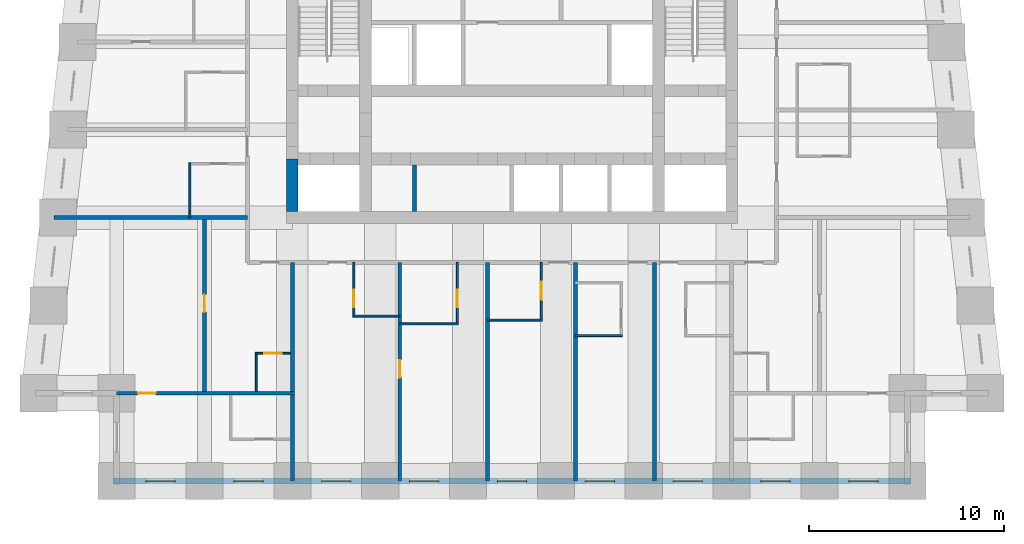
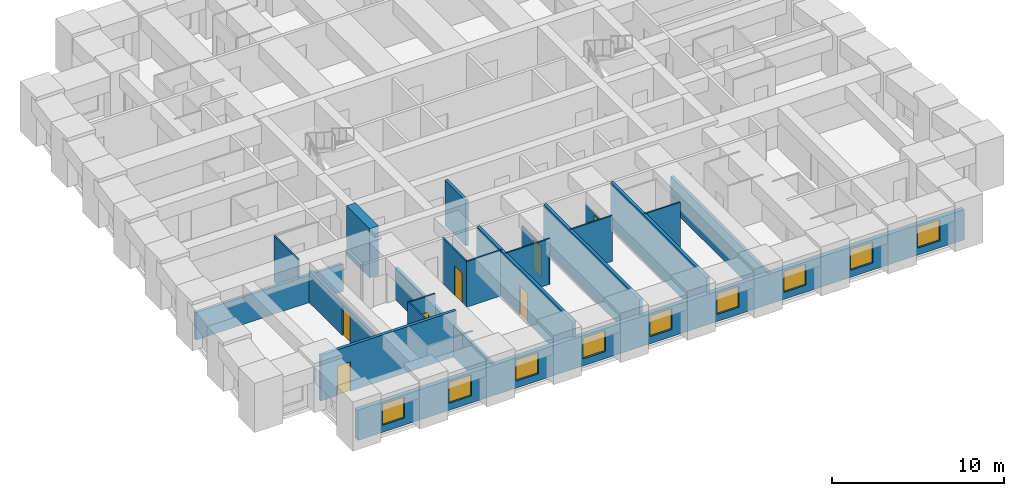
# One storey, part 2 of 8: 21 walls, 9 windows, 7 doors, 16 openings.
"""IFC4 building model written with IfcOpenShell, lengths in metres."""

import ifcopenshell
import ifcopenshell.guid

model = None  # the IFC model being written
_history = None  # IfcOwnerHistory: only IFC2X3 demands one
_inside = {}  # id of a spatial element -> (the spatial element, [elements in it])
_under = {}  # id of a project, library or spatial element -> (it, [spatial elements below it])
_declared = {}  # id of a project -> (the project, [libraries it declares])
_typed = {}  # id of a type object -> (the type object, [elements of that type])
_made_of = {}  # id of a material, layer set ... -> (it, [elements and type objects made of it])


def new_model(schema):
    """Start an empty IFC model of exactly this schema.

    Asked for "IFC4X3", IfcOpenShell would pick the latest addendum, in which some entities
    have other attributes; the version numbers below select the first issue.
    IFC2X3 requires an IfcOwnerHistory on every rooted entity: one is made here for all.
    """
    global model, _history
    if schema == "IFC4X3":
        model = ifcopenshell.file(schema_version=(4, 3, 0, 0))
    else:
        model = ifcopenshell.file(schema=schema)
    _inside.clear()
    _under.clear()
    _declared.clear()
    _typed.clear()
    _made_of.clear()
    _history = None
    if model.schema == "IFC2X3":
        org = make("IfcOrganization", Name="unknown")
        user = make(
            "IfcPersonAndOrganization",
            ThePerson=make("IfcPerson", FamilyName="unknown"),
            TheOrganization=org,
        )
        app = make(
            "IfcApplication",
            ApplicationDeveloper=org,
            Version="unknown",
            ApplicationFullName="unknown",
            ApplicationIdentifier="unknown",
        )
        _history = make(
            "IfcOwnerHistory",
            OwningUser=user,
            OwningApplication=app,
            ChangeAction="ADDED",
            CreationDate=0,
        )
    return model


def make(cls, **values):
    """One entity of the class cls with the attributes given. An attribute that is None is left unset."""
    return model.create_entity(
        cls, **{name: value for name, value in values.items() if value is not None}
    )


def rooted(cls, **values):
    """An entity with a GlobalId (a new one), such as an element, a storey or a relation."""
    return make(cls, GlobalId=ifcopenshell.guid.new(), OwnerHistory=_history, **values)


def si_unit(unit_type, name, prefix=None):
    """IfcSIUnit, for example si_unit("LENGTHUNIT", "METRE", prefix="MILLI")."""
    return make("IfcSIUnit", UnitType=unit_type, Prefix=prefix, Name=name)


def assignment(units):
    """IfcUnitAssignment: the units of a project."""
    return None if units is None else make("IfcUnitAssignment", Units=units)


def point(xyz):
    """IfcCartesianPoint."""
    return None if xyz is None else make("IfcCartesianPoint", Coordinates=xyz)


def direction(xyz):
    """IfcDirection."""
    return None if xyz is None else make("IfcDirection", DirectionRatios=xyz)


def frame(location, z_axis=None, x_axis=None):
    """IfcAxis2Placement3D, a coordinate frame: its origin and axes. An axis left out is left unset."""
    return make(
        "IfcAxis2Placement3D",
        Location=point(location),
        Axis=direction(z_axis),
        RefDirection=direction(x_axis),
    )


def frame_2d(location, x_axis=None):
    """IfcAxis2Placement2D, a coordinate frame in the plane: its origin and x axis."""
    return make(
        "IfcAxis2Placement2D", Location=point(location), RefDirection=direction(x_axis)
    )


def origin():
    """The frame at (0, 0, 0) with its axes left unset."""
    return frame((0.0, 0.0, 0.0))


def place(relative_to, where):
    """IfcLocalPlacement: puts the frame where relative to a parent placement (None: the world)."""
    return make(
        "IfcLocalPlacement", PlacementRelTo=relative_to, RelativePlacement=where
    )


def context(
    kind, dimensions, precision=None, world=None, true_north=None, identifier=None
):
    """IfcGeometricRepresentationContext, for example the 3D "Model" context."""
    return make(
        "IfcGeometricRepresentationContext",
        ContextIdentifier=identifier,
        ContextType=kind,
        CoordinateSpaceDimension=dimensions,
        Precision=precision,
        WorldCoordinateSystem=world,
        TrueNorth=true_north,
    )


def subcontext(parent, identifier, kind, view, scale=None):
    """IfcGeometricRepresentationSubContext, for example "Body" below "Model"."""
    return make(
        "IfcGeometricRepresentationSubContext",
        ContextIdentifier=identifier,
        ContextType=kind,
        ParentContext=parent,
        TargetScale=scale,
        TargetView=view,
    )


def project(units=None, contexts=None):
    """IfcProject with its units and contexts."""
    return rooted(
        "IfcProject",
        Name="project",
        RepresentationContexts=contexts,
        UnitsInContext=assignment(units),
    )


def spatial(cls, under=None, at=None, **own):
    """A site, building, storey or space (cls), placed at a placement, below another one or the project."""
    s = rooted(cls, ObjectPlacement=at, **own)
    if under is not None:
        _under.setdefault(under.id(), (under, []))[1].append(s)
    return s


def profile(cls, at=None, kind="AREA", **sizes):
    """A parametric profile (cls). Its sizes go by their IFC names, for example OverallWidth=200.0."""
    return make(cls, ProfileType=kind, Position=at, **sizes)


def rectangle(**sizes):
    """IfcRectangleProfileDef."""
    return profile("IfcRectangleProfileDef", **sizes)


def extrude(swept, where, along, depth):
    """IfcExtrudedAreaSolid: the profile swept, set in the frame where, extruded along a direction by depth."""
    return make(
        "IfcExtrudedAreaSolid",
        SweptArea=swept,
        Position=where,
        ExtrudedDirection=direction(along),
        Depth=depth,
    )


def shape(context_of_items, identifier, shape_type, items):
    """IfcShapeRepresentation: the items that make up one representation, for example the "Body"."""
    return make(
        "IfcShapeRepresentation",
        ContextOfItems=context_of_items,
        RepresentationIdentifier=identifier,
        RepresentationType=shape_type,
        Items=items,
    )


def material(Name=None, Category=None):
    """IfcMaterial."""
    return make("IfcMaterial", Name=Name, Category=Category)


def layer(
    of_material, thickness, ventilated=None, Name=None, Category=None, Priority=None
):
    """IfcMaterialLayer: one layer of a wall or slab, of a material (None: an air gap)."""
    return make(
        "IfcMaterialLayer",
        Material=of_material,
        LayerThickness=thickness,
        IsVentilated=ventilated,
        Name=Name,
        Category=Category,
        Priority=Priority,
    )


def layer_set(layers, Name=None):
    """IfcMaterialLayerSet."""
    return make("IfcMaterialLayerSet", MaterialLayers=layers, LayerSetName=Name)


def made_of(thing, what):
    """Note that an element or type object is made of a material, layer set ...; save() writes the relation."""
    if what is not None:
        _made_of.setdefault(what.id(), (what, []))[1].append(thing)
    return thing


def type_object(cls, material=None, **own):
    """A type object (cls), such as IfcWallType, which elements share."""
    return made_of(rooted(cls, **own), material)


def element(
    cls,
    number,
    at=None,
    inside=None,
    cuts=None,
    type_object=None,
    material=None,
    context=None,
    identifier="Body",
    shape_type=None,
    held_by="IfcProductDefinitionShape",
    body=None,
    shapes=None,
    **own,
):
    """One element of the class cls, such as IfcWall. Its Tag is "e" and its number.

    at: its placement. inside: the storey or other place that contains it. cuts: it is an
    opening in that element (IfcRelVoidsElement). A single representation is given by context,
    identifier, shape_type and body (its items); several are given by shapes. held_by: the class
    of the entity that holds the representations. save() writes the other relations.
    """
    e = rooted(cls, Tag="e%d" % number, ObjectPlacement=at, **own)
    if body is not None:
        shapes = [shape(context, identifier, shape_type, body)]
    if shapes is not None:
        e.Representation = make(held_by, Representations=shapes)
    if inside is not None:
        _inside.setdefault(inside.id(), (inside, []))[1].append(e)
    if cuts is not None:
        rooted(
            "IfcRelVoidsElement", RelatingBuildingElement=cuts, RelatedOpeningElement=e
        )
    if type_object is not None:
        _typed.setdefault(type_object.id(), (type_object, []))[1].append(e)
    return made_of(e, material)


def fill(opening, filler):
    """IfcRelFillsElement: the door or window that sits in an opening."""
    return rooted(
        "IfcRelFillsElement",
        RelatingOpeningElement=opening,
        RelatedBuildingElement=filler,
    )


def aggregate(whole, parts):
    """IfcRelAggregates: a whole, such as a stair, and the parts it consists of."""
    return rooted("IfcRelAggregates", RelatingObject=whole, RelatedObjects=parts)


def save(model, path):
    """Write the relations noted so far, then the file.

    IfcRelAggregates (storeys below a building ...), IfcRelContainedInSpatialStructure (elements
    in a storey), IfcRelDefinesByType, IfcRelAssociatesMaterial and IfcRelDeclares: one each for
    every whole, place, type object, material and project.
    """
    for whole, parts in _under.values():
        aggregate(whole, parts)
    for where, things in _inside.values():
        rooted(
            "IfcRelContainedInSpatialStructure",
            RelatedElements=things,
            RelatingStructure=where,
        )
    for kind, things in _typed.values():
        rooted("IfcRelDefinesByType", RelatedObjects=things, RelatingType=kind)
    for what, things in _made_of.values():
        rooted("IfcRelAssociatesMaterial", RelatedObjects=things, RelatingMaterial=what)
    for by, libraries in _declared.values():
        rooted("IfcRelDeclares", RelatingContext=by, RelatedDefinitions=libraries)
    model.write(path)


model = new_model("IFC4")

# Units and contexts
model_context = context("Model", 3, precision=1e-05, world=origin(), true_north=direction((0.0, 1.0)))
body_context = subcontext(model_context, "Body", "Model", "MODEL_VIEW")
ifc_project = project(units=[si_unit("LENGTHUNIT", "METRE"), si_unit("AREAUNIT", "SQUARE_METRE"), si_unit("VOLUMEUNIT", "CUBIC_METRE"), si_unit("PLANEANGLEUNIT", "RADIAN"), si_unit("MASSUNIT", "GRAM", prefix="KILO")], contexts=[model_context])

# Site, building, storey
site_placement = place(None, origin())
site = spatial("IfcSite", under=ifc_project, at=site_placement, CompositionType="ELEMENT")
building_placement = place(site_placement, origin())
building = spatial("IfcBuilding", under=site, at=building_placement, Name="Kilele Tower Hotel", CompositionType="ELEMENT")
storey_placement = place(building_placement, frame((0.0, 0.0, 124.89990234375)))
storey = spatial("IfcBuildingStorey", under=building, at=storey_placement, Name="L32", CompositionType="ELEMENT", Elevation=124.89990234375)

# Wall
ifc_material_1 = material(Name="Moisture-resistant board")
ifc_layer_1 = layer(ifc_material_1, 0.10009765625)
ifc_layer_set_1 = layer_set([ifc_layer_1], Name="Moisture-resistant board")
wall_type_1 = type_object("IfcWallType", Name="Bathroom partition 100", PredefinedType="PLUMBINGWALL", material=ifc_layer_set_1)
wall_1_placement = place(storey_placement, frame((16.60009765625, 8.449951171875, 0.0), z_axis=(0.0, 0.0, 1.0), x_axis=(1.0, 0.0, 0.0)))
element("IfcWall", 1, at=wall_1_placement, inside=storey, type_object=wall_type_1, Name="Bathroom partition 100 L32", PredefinedType="PLUMBINGWALL", context=body_context, shape_type="SweptSolid", body=[
    extrude(rectangle(XDim=2.39990234375, YDim=0.10009765625, at=frame_2d((1.199951171875, 0.0))), origin(), (0.0, 0.0, 1.0), 3.25),
])

# Wall, opening, door
wall_2_placement = place(storey_placement, frame((16.64990234375, 11.199951171875, 0.0), z_axis=(0.0, 0.0, 1.0), x_axis=(0.0, -1.0, 0.0)))
wall_2 = element("IfcWall", 2, at=wall_2_placement, inside=storey, type_object=wall_type_1, Name="Bathroom partition 100 L32", PredefinedType="PLUMBINGWALL", context=body_context, shape_type="SweptSolid", body=[
    extrude(rectangle(XDim=2.800048828125, YDim=0.10009765625, at=frame_2d((1.39990234375, 0.0))), origin(), (0.0, 0.0, 1.0), 3.25),
])
opening_1_placement = place(wall_2_placement, frame((2.2998046875, 0.0, 0.0), z_axis=(0.0, 0.0, 1.0), x_axis=(-1.0, 0.0, 0.0)))
opening_1 = element("IfcOpeningElement", 3, at=opening_1_placement, cuts=wall_2, Name="Opening D2A", PredefinedType="OPENING", context=body_context, shape_type="SweptSolid", body=[
    extrude(rectangle(XDim=0.89990234375, YDim=2.10009765625, at=frame_2d((0.449951171875, 1.050048828125))), frame((0.0, 0.06005859375, 0.0), z_axis=(0.0, -1.0, 0.0), x_axis=(1.0, 0.0, 0.0)), (0.0, 0.0, 1.0), 0.1201171875),
])
ifc_material_2 = material(Name="Timber door leaf in hardwood frame", Category="wood")
door_type_1 = type_object("IfcDoorType", Name="Bathroom door 900", OperationType="SINGLE_SWING_LEFT", PredefinedType="DOOR", material=ifc_material_2)
door_1_placement = place(opening_1_placement, origin())
door_1 = element("IfcDoor", 4, at=door_1_placement, inside=storey, type_object=door_type_1, Name="Bathroom door 3201B", OperationType="SINGLE_SWING_RIGHT", OverallHeight=2.10009765625, OverallWidth=0.89990234375, PredefinedType="DOOR", context=body_context, shape_type="SweptSolid", body=[
    extrude(rectangle(XDim=0.89990234375, YDim=2.10009765625, at=frame_2d((0.449951171875, 1.050048828125))), frame((0.0, 0.02490234375, 0.0), z_axis=(0.0, -1.0, 0.0), x_axis=(1.0, 0.0, 0.0)), (0.0, 0.0, 1.0), 0.050048828125),
])
fill(opening_1, door_1)

# Wall
wall_3_placement = place(storey_placement, frame((19.0, 8.050048828125, 0.0), z_axis=(0.0, 0.0, 1.0), x_axis=(1.0, 0.0, 0.0)))
element("IfcWall", 5, at=wall_3_placement, inside=storey, type_object=wall_type_1, Name="Bathroom partition 100 L32", PredefinedType="PLUMBINGWALL", context=body_context, shape_type="SweptSolid", body=[
    extrude(rectangle(XDim=3.0, YDim=0.10009765625, at=frame_2d((1.5, 0.0))), origin(), (0.0, 0.0, 1.0), 3.25),
])

# Wall, opening, door
wall_4_placement = place(storey_placement, frame((21.949951171875, 11.199951171875, 0.0), z_axis=(0.0, 0.0, 1.0), x_axis=(0.0, -1.0, 0.0)))
wall_4 = element("IfcWall", 6, at=wall_4_placement, inside=storey, type_object=wall_type_1, Name="Bathroom partition 100 L32", PredefinedType="PLUMBINGWALL", context=body_context, shape_type="SweptSolid", body=[
    extrude(rectangle(XDim=3.199951171875, YDim=0.10009765625, at=frame_2d((1.60009765625, 0.0))), origin(), (0.0, 0.0, 1.0), 2.25),
])
opening_2_placement = place(wall_4_placement, frame((1.39990234375, 0.0, 0.0)))
opening_2 = element("IfcOpeningElement", 7, at=opening_2_placement, cuts=wall_4, Name="Opening D2A", PredefinedType="OPENING", context=body_context, shape_type="SweptSolid", body=[
    extrude(rectangle(XDim=0.89990234375, YDim=2.10009765625, at=frame_2d((0.449951171875, 1.050048828125))), frame((0.0, 0.06005859375, 0.0), z_axis=(0.0, -1.0, 0.0), x_axis=(1.0, 0.0, 0.0)), (0.0, 0.0, 1.0), 0.1201171875),
])
door_2_placement = place(opening_2_placement, origin())
door_2 = element("IfcDoor", 8, at=door_2_placement, inside=storey, type_object=door_type_1, Name="Bathroom door 3202B", OperationType="SINGLE_SWING_LEFT", OverallHeight=2.10009765625, OverallWidth=0.89990234375, PredefinedType="DOOR", context=body_context, shape_type="SweptSolid", body=[
    extrude(rectangle(XDim=0.89990234375, YDim=2.10009765625, at=frame_2d((0.449951171875, 1.050048828125))), frame((0.0, 0.02490234375, 0.0), z_axis=(0.0, -1.0, 0.0), x_axis=(1.0, 0.0, 0.0)), (0.0, 0.0, 1.0), 0.050048828125),
])
fill(opening_2, door_2)

# Wall
wall_5_placement = place(storey_placement, frame((23.5, 8.25, 0.0), z_axis=(0.0, 0.0, 1.0), x_axis=(1.0, 0.0, 0.0)))
element("IfcWall", 9, at=wall_5_placement, inside=storey, type_object=wall_type_1, Name="Bathroom partition 100 L32", PredefinedType="PLUMBINGWALL", context=body_context, shape_type="SweptSolid", body=[
    extrude(rectangle(XDim=2.800048828125, YDim=0.10009765625, at=frame_2d((1.39990234375, 0.0))), origin(), (0.0, 0.0, 1.0), 3.25),
])

# Wall, opening, door
wall_6_placement = place(storey_placement, frame((26.25, 11.199951171875, 0.0), z_axis=(0.0, 0.0, 1.0), x_axis=(0.0, -1.0, 0.0)))
wall_6 = element("IfcWall", 10, at=wall_6_placement, inside=storey, type_object=wall_type_1, Name="Bathroom partition 100 L32", PredefinedType="PLUMBINGWALL", context=body_context, shape_type="SweptSolid", body=[
    extrude(rectangle(XDim=3.0, YDim=0.10009765625, at=frame_2d((1.5, 0.0))), origin(), (0.0, 0.0, 1.0), 2.25),
])
opening_3_placement = place(wall_6_placement, frame((1.0, 0.0, 0.0)))
opening_3 = element("IfcOpeningElement", 11, at=opening_3_placement, cuts=wall_6, Name="Opening D2A", PredefinedType="OPENING", context=body_context, shape_type="SweptSolid", body=[
    extrude(rectangle(XDim=0.89990234375, YDim=2.10009765625, at=frame_2d((0.449951171875, 1.050048828125))), frame((0.0, 0.06005859375, 0.0), z_axis=(0.0, -1.0, 0.0), x_axis=(1.0, 0.0, 0.0)), (0.0, 0.0, 1.0), 0.1201171875),
])
door_3_placement = place(opening_3_placement, origin())
door_3 = element("IfcDoor", 12, at=door_3_placement, inside=storey, type_object=door_type_1, Name="Bathroom door 3203B", OperationType="SINGLE_SWING_LEFT", OverallHeight=2.10009765625, OverallWidth=0.89990234375, PredefinedType="DOOR", context=body_context, shape_type="SweptSolid", body=[
    extrude(rectangle(XDim=0.89990234375, YDim=2.10009765625, at=frame_2d((0.449951171875, 1.050048828125))), frame((0.0, 0.02490234375, 0.0), z_axis=(0.0, -1.0, 0.0), x_axis=(1.0, 0.0, 0.0)), (0.0, 0.0, 1.0), 0.050048828125),
])
fill(opening_3, door_3)

# Walls
wall_7_placement = place(storey_placement, frame((28.0, 7.449951171875, 0.0), z_axis=(0.0, 0.0, 1.0), x_axis=(1.0, 0.0, 0.0)))
element("IfcWall", 13, at=wall_7_placement, inside=storey, type_object=wall_type_1, Name="Bathroom partition 100 L32", PredefinedType="PLUMBINGWALL", context=body_context, shape_type="SweptSolid", body=[
    extrude(rectangle(XDim=2.39990234375, YDim=0.10009765625, at=frame_2d((1.199951171875, 0.0))), origin(), (0.0, 0.0, 1.0), 3.25),
])
wall_8_placement = place(storey_placement, frame((8.25, 13.5, 0.0), z_axis=(0.0, 0.0, 1.0), x_axis=(0.0, 1.0, 0.0)))
element("IfcWall", 14, at=wall_8_placement, inside=storey, type_object=wall_type_1, Name="Bathroom partition 100 L32", PredefinedType="PLUMBINGWALL", context=body_context, shape_type="SweptSolid", body=[
    extrude(rectangle(XDim=2.800048828125, YDim=0.10009765625, at=frame_2d((1.39990234375, 0.0))), origin(), (0.0, 0.0, 1.0), 3.25),
])
wall_9_placement = place(storey_placement, frame((11.64990234375, 4.60009765625, 0.0), z_axis=(0.0, 0.0, 1.0), x_axis=(0.0, 1.0, 0.0)))
element("IfcWall", 15, at=wall_9_placement, inside=storey, type_object=wall_type_1, Name="Bathroom partition 100 L32", PredefinedType="PLUMBINGWALL", context=body_context, shape_type="SweptSolid", body=[
    extrude(rectangle(XDim=2.0, YDim=0.10009765625, at=frame_2d((1.0, 0.0))), origin(), (0.0, 0.0, 1.0), 3.25),
])

# Wall, opening, door
wall_10_placement = place(storey_placement, frame((13.39990234375, 6.550048828125, 0.0), z_axis=(0.0, 0.0, 1.0), x_axis=(-1.0, 0.0, 0.0)))
wall_10 = element("IfcWall", 16, at=wall_10_placement, inside=storey, type_object=wall_type_1, Name="Bathroom partition 100 L32", PredefinedType="PLUMBINGWALL", context=body_context, shape_type="SweptSolid", body=[
    extrude(rectangle(XDim=1.7998046875, YDim=0.10009765625, at=frame_2d((0.89990234375, 0.0))), origin(), (0.0, 0.0, 1.0), 3.25),
])
opening_4_placement = place(wall_10_placement, frame((1.349853515625, 0.0, 0.0), z_axis=(0.0, 0.0, 1.0), x_axis=(-1.0, 0.0, 0.0)))
opening_4 = element("IfcOpeningElement", 17, at=opening_4_placement, cuts=wall_10, Name="Opening D2A", PredefinedType="OPENING", context=body_context, shape_type="SweptSolid", body=[
    extrude(rectangle(XDim=0.89990234375, YDim=2.10009765625, at=frame_2d((0.449951171875, 1.050048828125))), frame((0.0, 0.06005859375, 0.0), z_axis=(0.0, -1.0, 0.0), x_axis=(1.0, 0.0, 0.0)), (0.0, 0.0, 1.0), 0.1201171875),
])
door_4_placement = place(opening_4_placement, origin())
door_4 = element("IfcDoor", 18, at=door_4_placement, inside=storey, type_object=door_type_1, Name="Bathroom door 3217P", OperationType="SINGLE_SWING_RIGHT", OverallHeight=2.10009765625, OverallWidth=0.89990234375, PredefinedType="DOOR", context=body_context, shape_type="SweptSolid", body=[
    extrude(rectangle(XDim=0.89990234375, YDim=2.10009765625, at=frame_2d((0.449951171875, 1.050048828125))), frame((0.0, 0.02490234375, 0.0), z_axis=(0.0, -1.0, 0.0), x_axis=(1.0, 0.0, 0.0)), (0.0, 0.0, 1.0), 0.050048828125),
])
fill(opening_4, door_4)

# Wall
ifc_material_3 = material(Name="Concrete C60/75", Category="concrete")
ifc_layer_2 = layer(ifc_material_3, 0.60009765625)
ifc_layer_set_2 = layer_set([ifc_layer_2], Name="Concrete C60/75")
wall_type_2 = type_object("IfcWallType", Name="Core wall 600 C60/75", PredefinedType="SHEAR", material=ifc_layer_set_2)
wall_11_placement = place(storey_placement, frame((13.5, 16.5, 0.0), z_axis=(0.0, 0.0, 1.0), x_axis=(0.0, -1.0, 0.0)))
element("IfcWall", 19, at=wall_11_placement, inside=storey, type_object=wall_type_2, Name="Core wall W3 L32", PredefinedType="SHEAR", context=body_context, shape_type="SweptSolid", body=[
    extrude(rectangle(XDim=2.699951171875, YDim=0.60009765625, at=frame_2d((1.35009765625, 0.0))), origin(), (0.0, 0.0, 1.0), 3.5),
])

# Wall, opening, door
ifc_material_4 = material(Name="Blockwork, plastered both sides", Category="masonry")
ifc_layer_3 = layer(ifc_material_4, 0.199951171875)
ifc_layer_set_3 = layer_set([ifc_layer_3], Name="Blockwork, plastered both sides")
wall_type_3 = type_object("IfcWallType", Name="Partition wall 200", PredefinedType="PARTITIONING", material=ifc_layer_set_3)
wall_12_placement = place(storey_placement, frame((9.0, 4.60009765625, 0.0), z_axis=(0.0, 0.0, 1.0), x_axis=(0.0, 1.0, 0.0)))
wall_12 = element("IfcWall", 20, at=wall_12_placement, inside=storey, type_object=wall_type_3, Name="Partition wall 200 L32", PredefinedType="PARTITIONING", context=body_context, shape_type="SweptSolid", body=[
    extrude(rectangle(XDim=8.7998046875, YDim=0.199951171875, at=frame_2d((4.39990234375, 0.0))), origin(), (0.0, 0.0, 1.0), 2.25),
])
opening_5_placement = place(wall_12_placement, frame((4.050048828125, 0.0, 0.0)))
opening_5 = element("IfcOpeningElement", 21, at=opening_5_placement, cuts=wall_12, Name="Opening D3", PredefinedType="OPENING", context=body_context, shape_type="SweptSolid", body=[
    extrude(rectangle(XDim=0.89990234375, YDim=2.10009765625, at=frame_2d((0.449951171875, 1.050048828125))), frame((0.0, 0.10986328125, 0.0), z_axis=(0.0, -1.0, 0.0), x_axis=(1.0, 0.0, 0.0)), (0.0, 0.0, 1.0), 0.219970703125),
])
ifc_material_5 = material(Name="Timber door leaf in hardwood frame", Category="wood")
door_type_2 = type_object("IfcDoorType", Name="Suite internal door 900", OperationType="SINGLE_SWING_LEFT", PredefinedType="DOOR", material=ifc_material_5)
door_5_placement = place(opening_5_placement, origin())
door_5 = element("IfcDoor", 22, at=door_5_placement, inside=storey, type_object=door_type_2, Name="Suite door 3218", OperationType="SINGLE_SWING_RIGHT", OverallHeight=2.10009765625, OverallWidth=0.89990234375, PredefinedType="DOOR", context=body_context, shape_type="SweptSolid", body=[
    extrude(rectangle(XDim=0.89990234375, YDim=2.10009765625, at=frame_2d((0.449951171875, 1.050048828125))), frame((0.0, 0.02490234375, 0.0), z_axis=(0.0, -1.0, 0.0), x_axis=(1.0, 0.0, 0.0)), (0.0, 0.0, 1.0), 0.050048828125),
])
fill(opening_5, door_5)

ifc_material_6 = material(Name="Blockwork, plastered both sides", Category="masonry")
ifc_layer_4 = layer(ifc_material_6, 0.199951171875)
ifc_layer_set_4 = layer_set([ifc_layer_4], Name="Blockwork, plastered both sides")
wall_type_4 = type_object("IfcWallType", Name="Party wall 200", PredefinedType="PARTITIONING", material=ifc_layer_set_4)
wall_13_placement = place(storey_placement, frame((19.0, 11.199951171875, 0.0), z_axis=(0.0, 0.0, 1.0), x_axis=(0.0, -1.0, 0.0)))
wall_13 = element("IfcWall", 23, at=wall_13_placement, inside=storey, type_object=wall_type_4, Name="Party wall 200 L32", PredefinedType="PARTITIONING", context=body_context, shape_type="SweptSolid", body=[
    extrude(rectangle(XDim=11.199951171875, YDim=0.199951171875, at=frame_2d((5.60009765625, 0.0))), origin(), (0.0, 0.0, 1.0), 3.25),
])
opening_6_placement = place(wall_13_placement, frame((5.0, 0.0, 0.0)))
opening_6 = element("IfcOpeningElement", 24, at=opening_6_placement, cuts=wall_13, Name="Opening D3", PredefinedType="OPENING", context=body_context, shape_type="SweptSolid", body=[
    extrude(rectangle(XDim=0.89990234375, YDim=2.10009765625, at=frame_2d((0.449951171875, 1.050048828125))), frame((0.0, 0.10986328125, 0.0), z_axis=(0.0, -1.0, 0.0), x_axis=(1.0, 0.0, 0.0)), (0.0, 0.0, 1.0), 0.219970703125),
])
door_6_placement = place(opening_6_placement, origin())
door_6 = element("IfcDoor", 25, at=door_6_placement, inside=storey, type_object=door_type_2, Name="Suite door 3202", OperationType="SINGLE_SWING_LEFT", OverallHeight=2.10009765625, OverallWidth=0.89990234375, PredefinedType="DOOR", context=body_context, shape_type="SweptSolid", body=[
    extrude(rectangle(XDim=0.89990234375, YDim=2.10009765625, at=frame_2d((0.449951171875, 1.050048828125))), frame((0.0, 0.02490234375, 0.0), z_axis=(0.0, -1.0, 0.0), x_axis=(1.0, 0.0, 0.0)), (0.0, 0.0, 1.0), 0.050048828125),
])
fill(opening_6, door_6)

# Walls
for number, where, z_axis, x_axis, name in (
    (26, (23.5, 11.199951171875, 0.0), (0.0, 0.0, 1.0), (0.0, -1.0, 0.0), "Party wall 200 L32"),
    (27, (28.0, 11.199951171875, 0.0), (0.0, 0.0, 1.0), (0.0, -1.0, 0.0), "Party wall 200 L32"),
):
    element("IfcWall", number, at=place(storey_placement, frame(where, z_axis=z_axis, x_axis=x_axis)), inside=storey, type_object=wall_type_4, Name=name, PredefinedType="PARTITIONING", context=body_context, shape_type="SweptSolid", body=[
        extrude(rectangle(XDim=11.199951171875, YDim=0.199951171875, at=frame_2d((5.60009765625, 0.0))), origin(), (0.0, 0.0, 1.0), 3.25),
    ])
wall_14_placement = place(storey_placement, frame((32.050048828125, 11.199951171875, 0.0), z_axis=(0.0, 0.0, 1.0), x_axis=(0.0, -1.0, 0.0)))
element("IfcWall", 28, at=wall_14_placement, inside=storey, type_object=wall_type_4, Name="Party wall 200 L32", PredefinedType="PARTITIONING", context=body_context, shape_type="SweptSolid", body=[
    extrude(rectangle(XDim=11.199951171875, YDim=0.199951171875, at=frame_2d((5.60009765625, 0.0))), origin(), (0.0, 0.0, 1.0), 2.25),
])
wall_15_placement = place(storey_placement, frame((11.199951171875, 13.5, 0.0), z_axis=(0.0, 0.0, 1.0), x_axis=(-1.0, 0.0, 0.0)))
element("IfcWall", 29, at=wall_15_placement, inside=storey, type_object=wall_type_4, Name="Party wall 200 L32", PredefinedType="PARTITIONING", context=body_context, shape_type="SweptSolid", body=[
    extrude(rectangle(XDim=9.921142578125, YDim=0.199951171875, at=frame_2d((4.96044921875, 0.0))), origin(), (0.0, 0.0, 1.0), 1.9501953125),
])
wall_16_placement = place(storey_placement, frame((13.5, 11.199951171875, 0.0), z_axis=(0.0, 0.0, 1.0), x_axis=(0.0, -1.0, 0.0)))
element("IfcWall", 30, at=wall_16_placement, inside=storey, type_object=wall_type_4, Name="Party wall 200 L32", PredefinedType="PARTITIONING", context=body_context, shape_type="SweptSolid", body=[
    extrude(rectangle(XDim=11.199951171875, YDim=0.199951171875, at=frame_2d((5.60009765625, 0.0))), origin(), (0.0, 0.0, 1.0), 2.25),
])

# Wall, opening, door
wall_17_placement = place(storey_placement, frame((13.60009765625, 4.5, 0.0), z_axis=(0.0, 0.0, 1.0), x_axis=(-1.0, 0.0, 0.0)))
wall_17 = element("IfcWall", 31, at=wall_17_placement, inside=storey, type_object=wall_type_4, Name="Party wall 200 L32", PredefinedType="PARTITIONING", context=body_context, shape_type="SweptSolid", body=[
    extrude(rectangle(XDim=9.10009765625, YDim=0.199951171875, at=frame_2d((4.550048828125, 0.0))), origin(), (0.0, 0.0, 1.0), 3.25),
])
opening_7_placement = place(wall_17_placement, frame((7.10009765625, 0.0, 0.0)))
opening_7 = element("IfcOpeningElement", 32, at=opening_7_placement, cuts=wall_17, Name="Opening D3", PredefinedType="OPENING", context=body_context, shape_type="SweptSolid", body=[
    extrude(rectangle(XDim=0.89990234375, YDim=2.10009765625, at=frame_2d((0.449951171875, 1.050048828125))), frame((0.0, 0.10986328125, 0.0), z_axis=(0.0, -1.0, 0.0), x_axis=(1.0, 0.0, 0.0)), (0.0, 0.0, 1.0), 0.219970703125),
])
door_7_placement = place(opening_7_placement, origin())
door_7 = element("IfcDoor", 33, at=door_7_placement, inside=storey, type_object=door_type_2, Name="Suite door 3219", OperationType="SINGLE_SWING_RIGHT", OverallHeight=2.10009765625, OverallWidth=0.89990234375, PredefinedType="DOOR", context=body_context, shape_type="SweptSolid", body=[
    extrude(rectangle(XDim=0.89990234375, YDim=2.10009765625, at=frame_2d((0.449951171875, 1.050048828125))), frame((0.0, 0.02490234375, 0.0), z_axis=(0.0, -1.0, 0.0), x_axis=(1.0, 0.0, 0.0)), (0.0, 0.0, 1.0), 0.050048828125),
])
fill(opening_7, door_7)

# Wall, openings, windows
ifc_material_7 = material(Name="Concrete C40/50 precast", Category="concrete")
ifc_layer_5 = layer(ifc_material_7, 0.260009765625, Name="Precast backing", Category="LoadBearing")
ifc_material_8 = material(Name="Reconstituted stone finish", Category="masonry")
ifc_layer_6 = layer(ifc_material_8, 0.0400390625, Name="Face mix", Category="Finish")
ifc_layer_set_5 = layer_set([ifc_layer_5, ifc_layer_6], Name="Precast concrete C40/50, reconstituted stone finish")
wall_type_5 = type_object("IfcWallType", Name="Precast stone facade wall 300", PredefinedType="STANDARD", material=ifc_layer_set_5)
wall_18_placement = place(storey_placement, frame((4.35009765625, 0.0, 0.0), z_axis=(0.0, 0.0, 1.0), x_axis=(1.0, 0.0, 0.0)))
wall_18 = element("IfcWall", 34, at=wall_18_placement, inside=storey, type_object=wall_type_5, Name="Facade wall L32 edge 3", PredefinedType="STANDARD", context=body_context, shape_type="SweptSolid", body=[
    extrude(rectangle(XDim=40.7998046875, YDim=0.300048828125, at=frame_2d((20.39990234375, 0.0))), origin(), (0.0, 0.0, 1.0), 2.150146484375),
])
opening_8_placement = place(wall_18_placement, frame((1.64990234375, 0.0, 0.5)))
opening_8 = element("IfcOpeningElement", 35, at=opening_8_placement, cuts=wall_18, Name="Opening W2", PredefinedType="OPENING", context=body_context, shape_type="SweptSolid", body=[
    extrude(rectangle(XDim=1.5, YDim=1.5, at=frame_2d((0.75, 0.75))), frame((0.0, 0.159912109375, 0.0), z_axis=(0.0, -1.0, 0.0), x_axis=(1.0, 0.0, 0.0)), (0.0, 0.0, 1.0), 0.320068359375),
])
opening_9_placement = place(wall_18_placement, frame((6.14990234375, 0.0, 0.5)))
opening_9 = element("IfcOpeningElement", 36, at=opening_9_placement, cuts=wall_18, Name="Opening W2", PredefinedType="OPENING", context=body_context, shape_type="SweptSolid", body=[
    extrude(rectangle(XDim=1.5, YDim=1.5, at=frame_2d((0.75, 0.75))), frame((0.0, 0.159912109375, 0.0), z_axis=(0.0, -1.0, 0.0), x_axis=(1.0, 0.0, 0.0)), (0.0, 0.0, 1.0), 0.320068359375),
])
opening_10_placement = place(wall_18_placement, frame((10.64990234375, 0.0, 0.5)))
opening_10 = element("IfcOpeningElement", 37, at=opening_10_placement, cuts=wall_18, Name="Opening W2", PredefinedType="OPENING", context=body_context, shape_type="SweptSolid", body=[
    extrude(rectangle(XDim=1.5, YDim=1.5, at=frame_2d((0.75, 0.75))), frame((0.0, 0.159912109375, 0.0), z_axis=(0.0, -1.0, 0.0), x_axis=(1.0, 0.0, 0.0)), (0.0, 0.0, 1.0), 0.320068359375),
])
opening_11_placement = place(wall_18_placement, frame((15.14990234375, 0.0, 0.5)))
opening_11 = element("IfcOpeningElement", 38, at=opening_11_placement, cuts=wall_18, Name="Opening W2", PredefinedType="OPENING", context=body_context, shape_type="SweptSolid", body=[
    extrude(rectangle(XDim=1.5, YDim=1.5, at=frame_2d((0.75, 0.75))), frame((0.0, 0.159912109375, 0.0), z_axis=(0.0, -1.0, 0.0), x_axis=(1.0, 0.0, 0.0)), (0.0, 0.0, 1.0), 0.320068359375),
])
opening_12_placement = place(wall_18_placement, frame((19.64990234375, 0.0, 0.5)))
opening_12 = element("IfcOpeningElement", 39, at=opening_12_placement, cuts=wall_18, Name="Opening W2", PredefinedType="OPENING", context=body_context, shape_type="SweptSolid", body=[
    extrude(rectangle(XDim=1.5, YDim=1.5, at=frame_2d((0.75, 0.75))), frame((0.0, 0.159912109375, 0.0), z_axis=(0.0, -1.0, 0.0), x_axis=(1.0, 0.0, 0.0)), (0.0, 0.0, 1.0), 0.320068359375),
])
opening_13_placement = place(wall_18_placement, frame((24.14990234375, 0.0, 0.5)))
opening_13 = element("IfcOpeningElement", 40, at=opening_13_placement, cuts=wall_18, Name="Opening W2", PredefinedType="OPENING", context=body_context, shape_type="SweptSolid", body=[
    extrude(rectangle(XDim=1.5, YDim=1.5, at=frame_2d((0.75, 0.75))), frame((0.0, 0.159912109375, 0.0), z_axis=(0.0, -1.0, 0.0), x_axis=(1.0, 0.0, 0.0)), (0.0, 0.0, 1.0), 0.320068359375),
])
opening_14_placement = place(wall_18_placement, frame((28.64990234375, 0.0, 0.5)))
opening_14 = element("IfcOpeningElement", 41, at=opening_14_placement, cuts=wall_18, Name="Opening W2", PredefinedType="OPENING", context=body_context, shape_type="SweptSolid", body=[
    extrude(rectangle(XDim=1.5, YDim=1.5, at=frame_2d((0.75, 0.75))), frame((0.0, 0.159912109375, 0.0), z_axis=(0.0, -1.0, 0.0), x_axis=(1.0, 0.0, 0.0)), (0.0, 0.0, 1.0), 0.320068359375),
])
opening_15_placement = place(wall_18_placement, frame((33.14990234375, 0.0, 0.5)))
opening_15 = element("IfcOpeningElement", 42, at=opening_15_placement, cuts=wall_18, Name="Opening W2", PredefinedType="OPENING", context=body_context, shape_type="SweptSolid", body=[
    extrude(rectangle(XDim=1.5, YDim=1.5, at=frame_2d((0.75, 0.75))), frame((0.0, 0.159912109375, 0.0), z_axis=(0.0, -1.0, 0.0), x_axis=(1.0, 0.0, 0.0)), (0.0, 0.0, 1.0), 0.320068359375),
])
opening_16_placement = place(wall_18_placement, frame((37.64990234375, 0.0, 0.5)))
opening_16 = element("IfcOpeningElement", 43, at=opening_16_placement, cuts=wall_18, Name="Opening W2", PredefinedType="OPENING", context=body_context, shape_type="SweptSolid", body=[
    extrude(rectangle(XDim=1.5, YDim=1.5, at=frame_2d((0.75, 0.75))), frame((0.0, 0.159912109375, 0.0), z_axis=(0.0, -1.0, 0.0), x_axis=(1.0, 0.0, 0.0)), (0.0, 0.0, 1.0), 0.320068359375),
])
ifc_material_9 = material(Name="Aluminium frame, clear double glazing", Category="aluminium")
window_type = type_object("IfcWindowType", Name="Window W2 1500 x 1500", PartitioningType="SINGLE_PANEL", PredefinedType="WINDOW", material=ifc_material_9)
window_1_placement = place(opening_8_placement, origin())
window_1 = element("IfcWindow", 44, at=window_1_placement, inside=storey, type_object=window_type, Name="Window L32", OverallHeight=1.5, OverallWidth=1.5, PartitioningType="SINGLE_PANEL", PredefinedType="WINDOW", context=body_context, shape_type="SweptSolid", body=[
    extrude(rectangle(XDim=1.5, YDim=1.5, at=frame_2d((0.75, 0.75))), frame((0.0, 0.030029296875, 0.0), z_axis=(0.0, -1.0, 0.0), x_axis=(1.0, 0.0, 0.0)), (0.0, 0.0, 1.0), 0.06005859375),
])
fill(opening_8, window_1)
window_2_placement = place(opening_9_placement, origin())
window_2 = element("IfcWindow", 45, at=window_2_placement, inside=storey, type_object=window_type, Name="Window L32", OverallHeight=1.5, OverallWidth=1.5, PartitioningType="SINGLE_PANEL", PredefinedType="WINDOW", context=body_context, shape_type="SweptSolid", body=[
    extrude(rectangle(XDim=1.5, YDim=1.5, at=frame_2d((0.75, 0.75))), frame((0.0, 0.030029296875, 0.0), z_axis=(0.0, -1.0, 0.0), x_axis=(1.0, 0.0, 0.0)), (0.0, 0.0, 1.0), 0.06005859375),
])
fill(opening_9, window_2)
window_3_placement = place(opening_10_placement, origin())
window_3 = element("IfcWindow", 46, at=window_3_placement, inside=storey, type_object=window_type, Name="Window L32", OverallHeight=1.5, OverallWidth=1.5, PartitioningType="SINGLE_PANEL", PredefinedType="WINDOW", context=body_context, shape_type="SweptSolid", body=[
    extrude(rectangle(XDim=1.5, YDim=1.5, at=frame_2d((0.75, 0.75))), frame((0.0, 0.030029296875, 0.0), z_axis=(0.0, -1.0, 0.0), x_axis=(1.0, 0.0, 0.0)), (0.0, 0.0, 1.0), 0.06005859375),
])
fill(opening_10, window_3)
window_4_placement = place(opening_11_placement, origin())
window_4 = element("IfcWindow", 47, at=window_4_placement, inside=storey, type_object=window_type, Name="Window L32", OverallHeight=1.5, OverallWidth=1.5, PartitioningType="SINGLE_PANEL", PredefinedType="WINDOW", context=body_context, shape_type="SweptSolid", body=[
    extrude(rectangle(XDim=1.5, YDim=1.5, at=frame_2d((0.75, 0.75))), frame((0.0, 0.030029296875, 0.0), z_axis=(0.0, -1.0, 0.0), x_axis=(1.0, 0.0, 0.0)), (0.0, 0.0, 1.0), 0.06005859375),
])
fill(opening_11, window_4)
window_5_placement = place(opening_12_placement, origin())
window_5 = element("IfcWindow", 48, at=window_5_placement, inside=storey, type_object=window_type, Name="Window L32", OverallHeight=1.5, OverallWidth=1.5, PartitioningType="SINGLE_PANEL", PredefinedType="WINDOW", context=body_context, shape_type="SweptSolid", body=[
    extrude(rectangle(XDim=1.5, YDim=1.5, at=frame_2d((0.75, 0.75))), frame((0.0, 0.030029296875, 0.0), z_axis=(0.0, -1.0, 0.0), x_axis=(1.0, 0.0, 0.0)), (0.0, 0.0, 1.0), 0.06005859375),
])
fill(opening_12, window_5)
window_6_placement = place(opening_13_placement, origin())
window_6 = element("IfcWindow", 49, at=window_6_placement, inside=storey, type_object=window_type, Name="Window L32", OverallHeight=1.5, OverallWidth=1.5, PartitioningType="SINGLE_PANEL", PredefinedType="WINDOW", context=body_context, shape_type="SweptSolid", body=[
    extrude(rectangle(XDim=1.5, YDim=1.5, at=frame_2d((0.75, 0.75))), frame((0.0, 0.030029296875, 0.0), z_axis=(0.0, -1.0, 0.0), x_axis=(1.0, 0.0, 0.0)), (0.0, 0.0, 1.0), 0.06005859375),
])
fill(opening_13, window_6)
window_7_placement = place(opening_14_placement, origin())
window_7 = element("IfcWindow", 50, at=window_7_placement, inside=storey, type_object=window_type, Name="Window L32", OverallHeight=1.5, OverallWidth=1.5, PartitioningType="SINGLE_PANEL", PredefinedType="WINDOW", context=body_context, shape_type="SweptSolid", body=[
    extrude(rectangle(XDim=1.5, YDim=1.5, at=frame_2d((0.75, 0.75))), frame((0.0, 0.030029296875, 0.0), z_axis=(0.0, -1.0, 0.0), x_axis=(1.0, 0.0, 0.0)), (0.0, 0.0, 1.0), 0.06005859375),
])
fill(opening_14, window_7)
window_8_placement = place(opening_15_placement, origin())
window_8 = element("IfcWindow", 51, at=window_8_placement, inside=storey, type_object=window_type, Name="Window L32", OverallHeight=1.5, OverallWidth=1.5, PartitioningType="SINGLE_PANEL", PredefinedType="WINDOW", context=body_context, shape_type="SweptSolid", body=[
    extrude(rectangle(XDim=1.5, YDim=1.5, at=frame_2d((0.75, 0.75))), frame((0.0, 0.030029296875, 0.0), z_axis=(0.0, -1.0, 0.0), x_axis=(1.0, 0.0, 0.0)), (0.0, 0.0, 1.0), 0.06005859375),
])
fill(opening_15, window_8)
window_9_placement = place(opening_16_placement, origin())
window_9 = element("IfcWindow", 52, at=window_9_placement, inside=storey, type_object=window_type, Name="Window L32", OverallHeight=1.5, OverallWidth=1.5, PartitioningType="SINGLE_PANEL", PredefinedType="WINDOW", context=body_context, shape_type="SweptSolid", body=[
    extrude(rectangle(XDim=1.5, YDim=1.5, at=frame_2d((0.75, 0.75))), frame((0.0, 0.030029296875, 0.0), z_axis=(0.0, -1.0, 0.0), x_axis=(1.0, 0.0, 0.0)), (0.0, 0.0, 1.0), 0.06005859375),
])
fill(opening_16, window_9)

# Wall
ifc_material_10 = material(Name="Blockwork, fire-rated", Category="masonry")
ifc_layer_7 = layer(ifc_material_10, 0.199951171875)
ifc_layer_set_6 = layer_set([ifc_layer_7], Name="Blockwork, fire-rated")
wall_type_6 = type_object("IfcWallType", Name="Shaft wall 200", PredefinedType="PARTITIONING", material=ifc_layer_set_6)
wall_19_placement = place(storey_placement, frame((19.75, 13.800048828125, 0.0), z_axis=(0.0, 0.0, 1.0), x_axis=(0.0, 1.0, 0.0)))
element("IfcWall", 53, at=wall_19_placement, inside=storey, type_object=wall_type_6, Name="Shaft wall 200 L32", PredefinedType="PARTITIONING", context=body_context, shape_type="SweptSolid", body=[
    extrude(rectangle(XDim=2.39990234375, YDim=0.199951171875, at=frame_2d((1.199951171875, 0.0))), origin(), (0.0, 0.0, 1.0), 3.25),
])

save(model, "model.ifc")
